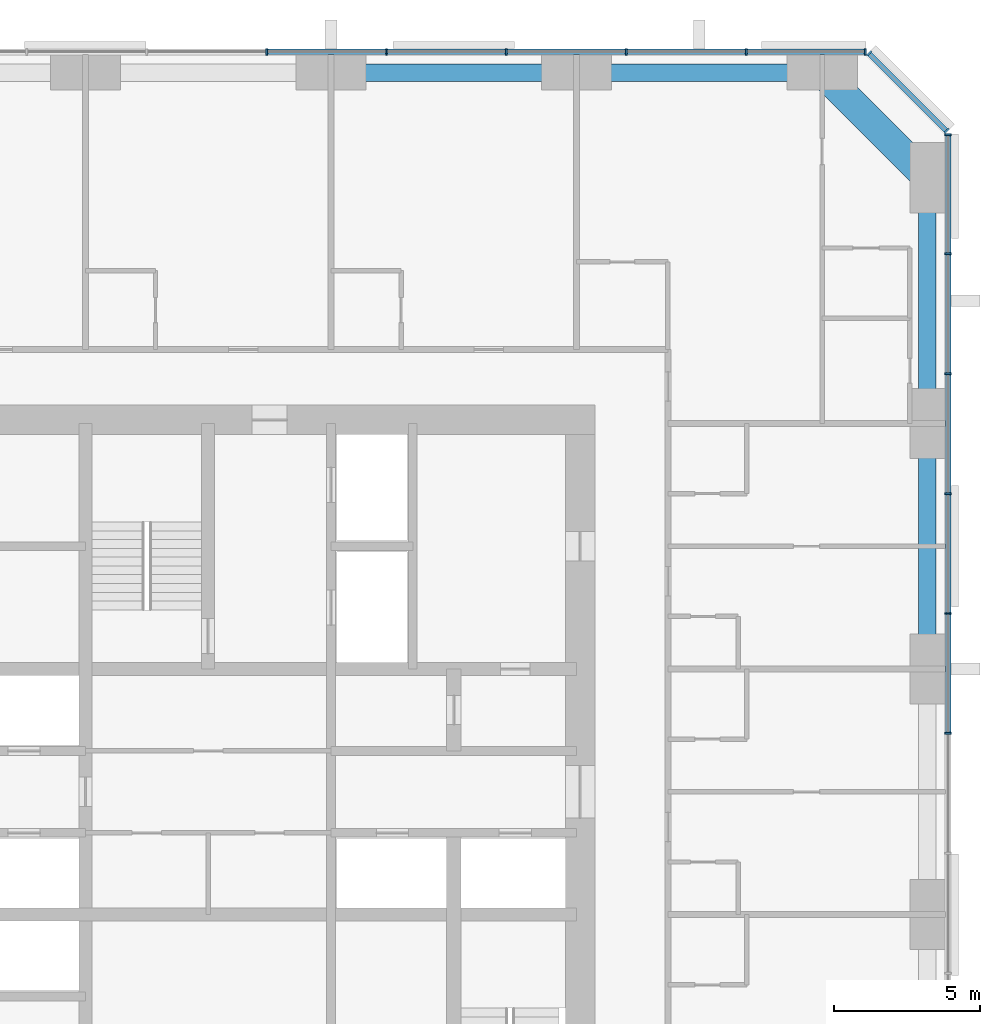
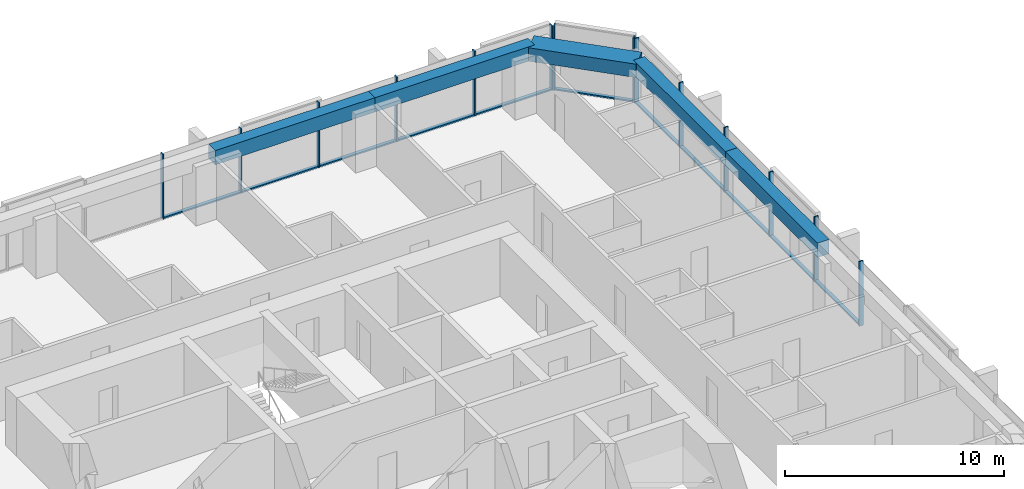
# One storey, part 6 of 13: 25 members, 5 beams, 3 elements without a shape of their own.
"""IFC4 building model written with IfcOpenShell, lengths in metres."""

from ifc_helpers import new_model, si_unit, direction, frame, origin, origin_2d, place, context, subcontext, project, spatial, rectangle, extrude, material, material_profile, profile_set, type_object, element, aggregate, save


model = new_model("IFC4")

# Units and contexts
model_context = context("Model", 3, precision=1e-05, world=origin(), true_north=direction((0.0, 1.0)))
body_context = subcontext(model_context, "Body", "Model", "MODEL_VIEW")
ifc_project = project(units=[si_unit("LENGTHUNIT", "METRE"), si_unit("AREAUNIT", "SQUARE_METRE"), si_unit("VOLUMEUNIT", "CUBIC_METRE"), si_unit("PLANEANGLEUNIT", "RADIAN"), si_unit("MASSUNIT", "GRAM", prefix="KILO")], contexts=[model_context])

# Site, building, storey
site_placement = place(None, origin())
site = spatial("IfcSite", under=ifc_project, at=site_placement, CompositionType="ELEMENT")
building_placement = place(site_placement, origin())
building = spatial("IfcBuilding", under=site, at=building_placement, Name="Dunama Terrace Hotel", CompositionType="ELEMENT")
storey_placement = place(building_placement, frame((0.0, 0.0, 118.800048828125)))
storey = spatial("IfcBuildingStorey", under=building, at=storey_placement, Name="L30", CompositionType="ELEMENT", Elevation=118.800048828125)

# Curtain wall, members
ifc_material_1 = material(Name="Aluminium curtain wall system", Category="aluminium")
curtain_wall_type = type_object("IfcCurtainWallType", Name="Unitised fritted glass wall CW-B", PredefinedType="NOTDEFINED", material=ifc_material_1)
curtain_wall_1_placement = place(storey_placement, origin())
curtain_wall_1 = element("IfcCurtainWall", 1, at=curtain_wall_1_placement, inside=storey, type_object=curtain_wall_type, Name="Unitised fritted glass wall CW-B L30", PredefinedType="NOTDEFINED")
ifc_material_2 = material(Name="Aluminium mullion", Category="aluminium")
ifc_material_profile_1 = material_profile(ifc_material_2, rectangle(XDim=0.06494140625, YDim=0.219970703125, at=origin_2d()), Name="CWB MULLION 65X220")
ifc_profile_set_1 = profile_set([ifc_material_profile_1], Name="Aluminium mullion")
member_type_1 = type_object("IfcMemberType", Name="CWB mullion 65x220", PredefinedType="MULLION", material=ifc_profile_set_1)
member_1_placement = place(storey_placement, frame((54.7099609375, 31.39990234375, 0.0), z_axis=(0.0, 0.0, 1.0), x_axis=(0.0, 1.0, 0.0)))
member_1 = element("IfcMember", 2, at=member_1_placement, type_object=member_type_1, Name="CWB mullion", PredefinedType="MULLION", context=body_context, shape_type="SweptSolid", body=[
    extrude(rectangle(XDim=0.06494140625, YDim=0.219970703125, at=origin_2d()), origin(), (0.0, 0.0, 1.0), 3.599853515625),
])
member_2_placement = place(storey_placement, frame((54.7099609375, 35.5, 0.0), z_axis=(0.0, 0.0, 1.0), x_axis=(0.0, 1.0, 0.0)))
member_2 = element("IfcMember", 3, at=member_2_placement, type_object=member_type_1, Name="CWB mullion", PredefinedType="MULLION", context=body_context, shape_type="SweptSolid", body=[
    extrude(rectangle(XDim=0.06494140625, YDim=0.219970703125, at=origin_2d()), origin(), (0.0, 0.0, 1.0), 3.599853515625),
])
member_3_placement = place(storey_placement, frame((54.7099609375, 39.60009765625, 0.0), z_axis=(0.0, 0.0, 1.0), x_axis=(0.0, 1.0, 0.0)))
member_3 = element("IfcMember", 4, at=member_3_placement, type_object=member_type_1, Name="CWB mullion", PredefinedType="MULLION", context=body_context, shape_type="SweptSolid", body=[
    extrude(rectangle(XDim=0.06494140625, YDim=0.219970703125, at=origin_2d()), origin(), (0.0, 0.0, 1.0), 3.599853515625),
])
member_4_placement = place(storey_placement, frame((54.7099609375, 43.699951171875, 0.0), z_axis=(0.0, 0.0, 1.0), x_axis=(0.0, 1.0, 0.0)))
member_4 = element("IfcMember", 5, at=member_4_placement, type_object=member_type_1, Name="CWB mullion", PredefinedType="MULLION", context=body_context, shape_type="SweptSolid", body=[
    extrude(rectangle(XDim=0.06494140625, YDim=0.219970703125, at=origin_2d()), origin(), (0.0, 0.0, 1.0), 3.599853515625),
])
member_5_placement = place(storey_placement, frame((54.7099609375, 47.800048828125, 0.0), z_axis=(0.0, 0.0, 1.0), x_axis=(0.0, 1.0, 0.0)))
member_5 = element("IfcMember", 6, at=member_5_placement, type_object=member_type_1, Name="CWB mullion", PredefinedType="MULLION", context=body_context, shape_type="SweptSolid", body=[
    extrude(rectangle(XDim=0.06494140625, YDim=0.219970703125, at=origin_2d()), origin(), (0.0, 0.0, 1.0), 3.599853515625),
])
member_6_placement = place(storey_placement, frame((54.7099609375, 51.866943359375, 0.0), z_axis=(0.0, 0.0, 1.0), x_axis=(0.0, 1.0, 0.0)))
member_6 = element("IfcMember", 7, at=member_6_placement, type_object=member_type_1, Name="CWB mullion", PredefinedType="MULLION", context=body_context, shape_type="SweptSolid", body=[
    extrude(rectangle(XDim=0.06494140625, YDim=0.219970703125, at=origin_2d()), origin(), (0.0, 0.0, 1.0), 3.599853515625),
])

curtain_wall_2_placement = place(storey_placement, origin())
curtain_wall_2 = element("IfcCurtainWall", 8, at=curtain_wall_2_placement, inside=storey, type_object=curtain_wall_type, Name="Unitised fritted glass wall CW-B L30", PredefinedType="NOTDEFINED")
member_7_placement = place(storey_placement, frame((54.655029296875, 52.0009765625, 0.0), z_axis=(0.0, 0.0, 1.0), x_axis=(-0.707106781187, 0.707106781187, 0.0)))
member_7 = element("IfcMember", 9, at=member_7_placement, type_object=member_type_1, Name="CWB mullion", PredefinedType="MULLION", context=body_context, shape_type="SweptSolid", body=[
    extrude(rectangle(XDim=0.06494140625, YDim=0.219970703125, at=origin_2d()), origin(), (0.0, 0.0, 1.0), 3.599853515625),
])
member_8_placement = place(storey_placement, frame((52.0009765625, 54.655029296875, 0.0), z_axis=(0.0, 0.0, 1.0), x_axis=(-0.707106781187, 0.707106781187, 0.0)))
member_8 = element("IfcMember", 10, at=member_8_placement, type_object=member_type_1, Name="CWB mullion", PredefinedType="MULLION", context=body_context, shape_type="SweptSolid", body=[
    extrude(rectangle(XDim=0.06494140625, YDim=0.219970703125, at=origin_2d()), origin(), (0.0, 0.0, 1.0), 3.599853515625),
])

curtain_wall_3_placement = place(storey_placement, origin())
curtain_wall_3 = element("IfcCurtainWall", 11, at=curtain_wall_3_placement, inside=storey, type_object=curtain_wall_type, Name="Unitised fritted glass wall CW-B L30", PredefinedType="NOTDEFINED")
member_9_placement = place(storey_placement, frame((51.866943359375, 54.7099609375, 0.0), z_axis=(0.0, 0.0, 1.0), x_axis=(-1.0, 0.0, 0.0)))
member_9 = element("IfcMember", 12, at=member_9_placement, type_object=member_type_1, Name="CWB mullion", PredefinedType="MULLION", context=body_context, shape_type="SweptSolid", body=[
    extrude(rectangle(XDim=0.06494140625, YDim=0.219970703125, at=origin_2d()), origin(), (0.0, 0.0, 1.0), 3.599853515625),
])
member_10_placement = place(storey_placement, frame((47.800048828125, 54.7099609375, 0.0), z_axis=(0.0, 0.0, 1.0), x_axis=(-1.0, 0.0, 0.0)))
member_10 = element("IfcMember", 13, at=member_10_placement, type_object=member_type_1, Name="CWB mullion", PredefinedType="MULLION", context=body_context, shape_type="SweptSolid", body=[
    extrude(rectangle(XDim=0.06494140625, YDim=0.219970703125, at=origin_2d()), origin(), (0.0, 0.0, 1.0), 3.599853515625),
])
member_11_placement = place(storey_placement, frame((43.699951171875, 54.7099609375, 0.0), z_axis=(0.0, 0.0, 1.0), x_axis=(-1.0, 0.0, 0.0)))
member_11 = element("IfcMember", 14, at=member_11_placement, type_object=member_type_1, Name="CWB mullion", PredefinedType="MULLION", context=body_context, shape_type="SweptSolid", body=[
    extrude(rectangle(XDim=0.06494140625, YDim=0.219970703125, at=origin_2d()), origin(), (0.0, 0.0, 1.0), 3.599853515625),
])
member_12_placement = place(storey_placement, frame((39.60009765625, 54.7099609375, 0.0), z_axis=(0.0, 0.0, 1.0), x_axis=(-1.0, 0.0, 0.0)))
member_12 = element("IfcMember", 15, at=member_12_placement, type_object=member_type_1, Name="CWB mullion", PredefinedType="MULLION", context=body_context, shape_type="SweptSolid", body=[
    extrude(rectangle(XDim=0.06494140625, YDim=0.219970703125, at=origin_2d()), origin(), (0.0, 0.0, 1.0), 3.599853515625),
])
member_13_placement = place(storey_placement, frame((35.5, 54.7099609375, 0.0), z_axis=(0.0, 0.0, 1.0), x_axis=(-1.0, 0.0, 0.0)))
member_13 = element("IfcMember", 16, at=member_13_placement, type_object=member_type_1, Name="CWB mullion", PredefinedType="MULLION", context=body_context, shape_type="SweptSolid", body=[
    extrude(rectangle(XDim=0.06494140625, YDim=0.219970703125, at=origin_2d()), origin(), (0.0, 0.0, 1.0), 3.599853515625),
])
member_14_placement = place(storey_placement, frame((31.39990234375, 54.7099609375, 0.0), z_axis=(0.0, 0.0, 1.0), x_axis=(-1.0, 0.0, 0.0)))
member_14 = element("IfcMember", 17, at=member_14_placement, type_object=member_type_1, Name="CWB mullion", PredefinedType="MULLION", context=body_context, shape_type="SweptSolid", body=[
    extrude(rectangle(XDim=0.06494140625, YDim=0.219970703125, at=origin_2d()), origin(), (0.0, 0.0, 1.0), 3.599853515625),
])

# Member
ifc_material_3 = material(Name="Aluminium transom", Category="aluminium")
ifc_material_profile_2 = material_profile(ifc_material_3, rectangle(XDim=0.179931640625, YDim=0.080078125, at=origin_2d()), Name="CWB TRANSOM 180X80")
ifc_profile_set_2 = profile_set([ifc_material_profile_2], Name="Aluminium transom")
member_type_2 = type_object("IfcMemberType", Name="CWB transom 180x80", PredefinedType="USERDEFINED", material=ifc_profile_set_2)
member_15_placement = place(storey_placement, frame((54.7099609375, 31.431884765625, 0.0400390625), z_axis=(0.0, 1.0, 0.0), x_axis=(-1.0, 0.0, 0.0)))
member_15 = element("IfcMember", 18, at=member_15_placement, type_object=member_type_2, Name="CWB transom", ObjectType="TRANSOM", PredefinedType="USERDEFINED", context=body_context, shape_type="SweptSolid", body=[
    extrude(rectangle(XDim=0.179931640625, YDim=0.080078125, at=origin_2d()), origin(), (0.0, 0.0, 1.0), 4.0361328125),
])

member_16_placement = place(storey_placement, frame((54.7099609375, 35.531982421875, 0.0400390625), z_axis=(0.0, 1.0, 0.0), x_axis=(-1.0, 0.0, 0.0)))
member_16 = element("IfcMember", 19, at=member_16_placement, type_object=member_type_2, Name="CWB transom", ObjectType="TRANSOM", PredefinedType="USERDEFINED", context=body_context, shape_type="SweptSolid", body=[
    extrude(rectangle(XDim=0.179931640625, YDim=0.080078125, at=origin_2d()), origin(), (0.0, 0.0, 1.0), 4.0361328125),
])

member_17_placement = place(storey_placement, frame((54.7099609375, 39.633056640625, 0.0400390625), z_axis=(0.0, 1.0, 0.0), x_axis=(-1.0, 0.0, 0.0)))
member_17 = element("IfcMember", 20, at=member_17_placement, type_object=member_type_2, Name="CWB transom", ObjectType="TRANSOM", PredefinedType="USERDEFINED", context=body_context, shape_type="SweptSolid", body=[
    extrude(rectangle(XDim=0.179931640625, YDim=0.080078125, at=origin_2d()), origin(), (0.0, 0.0, 1.0), 4.034912109375),
])

member_18_placement = place(storey_placement, frame((54.7099609375, 43.73291015625, 0.0400390625), z_axis=(0.0, 1.0, 0.0), x_axis=(-1.0, 0.0, 0.0)))
member_18 = element("IfcMember", 21, at=member_18_placement, type_object=member_type_2, Name="CWB transom", ObjectType="TRANSOM", PredefinedType="USERDEFINED", context=body_context, shape_type="SweptSolid", body=[
    extrude(rectangle(XDim=0.179931640625, YDim=0.080078125, at=origin_2d()), origin(), (0.0, 0.0, 1.0), 4.0341796875),
])

member_19_placement = place(storey_placement, frame((54.7099609375, 47.83203125, 0.0400390625), z_axis=(0.0, 1.0, 0.0), x_axis=(-1.0, 0.0, 0.0)))
member_19 = element("IfcMember", 22, at=member_19_placement, type_object=member_type_2, Name="CWB transom", ObjectType="TRANSOM", PredefinedType="USERDEFINED", context=body_context, shape_type="SweptSolid", body=[
    extrude(rectangle(XDim=0.179931640625, YDim=0.080078125, at=origin_2d()), origin(), (0.0, 0.0, 1.0), 4.0029296875),
])

aggregate(curtain_wall_1, [member_1, member_2, member_3, member_4, member_5, member_6, member_15, member_16, member_17, member_18, member_19])

member_20_placement = place(storey_placement, frame((54.632080078125, 52.02392578125, 0.0400390625), z_axis=(-0.707106781187, 0.707106781187, 0.0), x_axis=(-0.707106781187, -0.707106781187, 0.0)))
member_20 = element("IfcMember", 23, at=member_20_placement, type_object=member_type_2, Name="CWB transom", ObjectType="TRANSOM", PredefinedType="USERDEFINED", context=body_context, shape_type="SweptSolid", body=[
    extrude(rectangle(XDim=0.179931640625, YDim=0.080078125, at=origin_2d()), origin(), (0.0, 0.0, 1.0), 3.6884765625),
])

aggregate(curtain_wall_2, [member_7, member_8, member_20])

member_21_placement = place(storey_placement, frame((51.8349609375, 54.7099609375, 0.0400390625), z_axis=(-1.0, 0.0, 0.0), x_axis=(0.0, -1.0, 0.0)))
member_21 = element("IfcMember", 24, at=member_21_placement, type_object=member_type_2, Name="CWB transom", ObjectType="TRANSOM", PredefinedType="USERDEFINED", context=body_context, shape_type="SweptSolid", body=[
    extrude(rectangle(XDim=0.179931640625, YDim=0.080078125, at=origin_2d()), origin(), (0.0, 0.0, 1.0), 4.0029296875),
])

member_22_placement = place(storey_placement, frame((47.76708984375, 54.7099609375, 0.0400390625), z_axis=(-1.0, 0.0, 0.0), x_axis=(0.0, -1.0, 0.0)))
member_22 = element("IfcMember", 25, at=member_22_placement, type_object=member_type_2, Name="CWB transom", ObjectType="TRANSOM", PredefinedType="USERDEFINED", context=body_context, shape_type="SweptSolid", body=[
    extrude(rectangle(XDim=0.179931640625, YDim=0.080078125, at=origin_2d()), origin(), (0.0, 0.0, 1.0), 4.0341796875),
])

member_23_placement = place(storey_placement, frame((43.6669921875, 54.7099609375, 0.0400390625), z_axis=(-1.0, 0.0, 0.0), x_axis=(0.0, -1.0, 0.0)))
member_23 = element("IfcMember", 26, at=member_23_placement, type_object=member_type_2, Name="CWB transom", ObjectType="TRANSOM", PredefinedType="USERDEFINED", context=body_context, shape_type="SweptSolid", body=[
    extrude(rectangle(XDim=0.179931640625, YDim=0.080078125, at=origin_2d()), origin(), (0.0, 0.0, 1.0), 4.033935546875),
])

member_24_placement = place(storey_placement, frame((39.56689453125, 54.7099609375, 0.0400390625), z_axis=(-1.0, 0.0, 0.0), x_axis=(0.0, -1.0, 0.0)))
member_24 = element("IfcMember", 27, at=member_24_placement, type_object=member_type_2, Name="CWB transom", ObjectType="TRANSOM", PredefinedType="USERDEFINED", context=body_context, shape_type="SweptSolid", body=[
    extrude(rectangle(XDim=0.179931640625, YDim=0.080078125, at=origin_2d()), origin(), (0.0, 0.0, 1.0), 4.034912109375),
])

member_25_placement = place(storey_placement, frame((35.468017578125, 54.7099609375, 0.0400390625), z_axis=(-1.0, 0.0, 0.0), x_axis=(0.0, -1.0, 0.0)))
member_25 = element("IfcMember", 28, at=member_25_placement, type_object=member_type_2, Name="CWB transom", ObjectType="TRANSOM", PredefinedType="USERDEFINED", context=body_context, shape_type="SweptSolid", body=[
    extrude(rectangle(XDim=0.179931640625, YDim=0.080078125, at=origin_2d()), origin(), (0.0, 0.0, 1.0), 4.0361328125),
])

aggregate(curtain_wall_3, [member_9, member_10, member_11, member_12, member_13, member_14, member_21, member_22, member_23, member_24, member_25])

# Beams
ifc_material_4 = material(Name="Concrete C50/60", Category="concrete")
ifc_material_profile_3 = material_profile(ifc_material_4, rectangle(XDim=1.0, YDim=0.75, at=origin_2d()), Name="RC 1000x750")
ifc_profile_set_3 = profile_set([ifc_material_profile_3], Name="Concrete C50/60")
beam_type_1 = type_object("IfcBeamType", Name="Edge beam RC 1000x750", PredefinedType="SPANDREL", material=ifc_profile_set_3)
beam_placement = place(storey_placement, frame((50.39990234375, 54.0, 3.224853515625), z_axis=(0.707106781187, -0.707106781187, 0.0), x_axis=(0.707106781187, 0.707106781187, 0.0)))
element("IfcBeam", 29, at=beam_placement, inside=storey, type_object=beam_type_1, Name="Corner edge beam under L31", PredefinedType="SPANDREL", context=body_context, shape_type="SweptSolid", body=[
    extrude(rectangle(XDim=1.0, YDim=0.75, at=origin_2d()), origin(), (0.0, 0.0, 1.0), 5.09130859375),
])
ifc_material_5 = material(Name="Concrete C40/50", Category="concrete")
ifc_material_profile_4 = material_profile(ifc_material_5, rectangle(XDim=0.60009765625, YDim=0.800048828125, at=origin_2d()), Name="RC 600x800")
ifc_profile_set_4 = profile_set([ifc_material_profile_4], Name="Concrete C40/50")
beam_type_2 = type_object("IfcBeamType", Name="Edge beam RC 600x800", PredefinedType="SPANDREL", material=ifc_profile_set_4)
for number, where, z_axis, x_axis, name in (
    (30, (54.0, 33.60009765625, 3.199951171875), (0.0, 1.0, 0.0), (-1.0, 0.0, 0.0), "Edge beam under L31"),
    (31, (54.0, 42.0, 3.199951171875), (0.0, 1.0, 0.0), (-1.0, 0.0, 0.0), "Edge beam under L31"),
    (32, (33.60009765625, 54.0, 3.199951171875), (1.0, 0.0, 0.0), (0.0, 1.0, 0.0), "Edge beam under L31"),
    (33, (42.0, 54.0, 3.199951171875), (1.0, 0.0, 0.0), (0.0, 1.0, 0.0), "Edge beam under L31"),
):
    element("IfcBeam", number, at=place(storey_placement, frame(where, z_axis=z_axis, x_axis=x_axis)), inside=storey, type_object=beam_type_2, Name=name, PredefinedType="SPANDREL", context=body_context, shape_type="SweptSolid", body=[
        extrude(rectangle(XDim=0.60009765625, YDim=0.800048828125, at=origin_2d()), origin(), (0.0, 0.0, 1.0), 8.39990234375),
    ])

save(model, "model.ifc")
